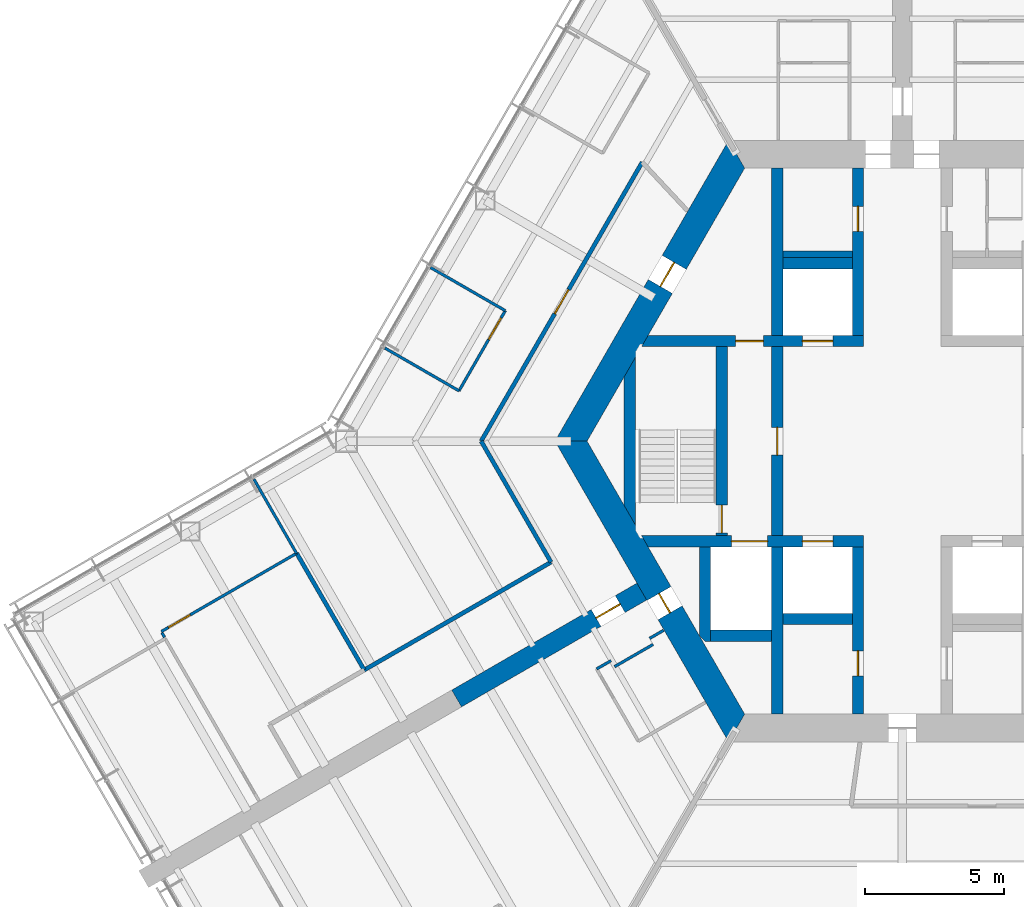
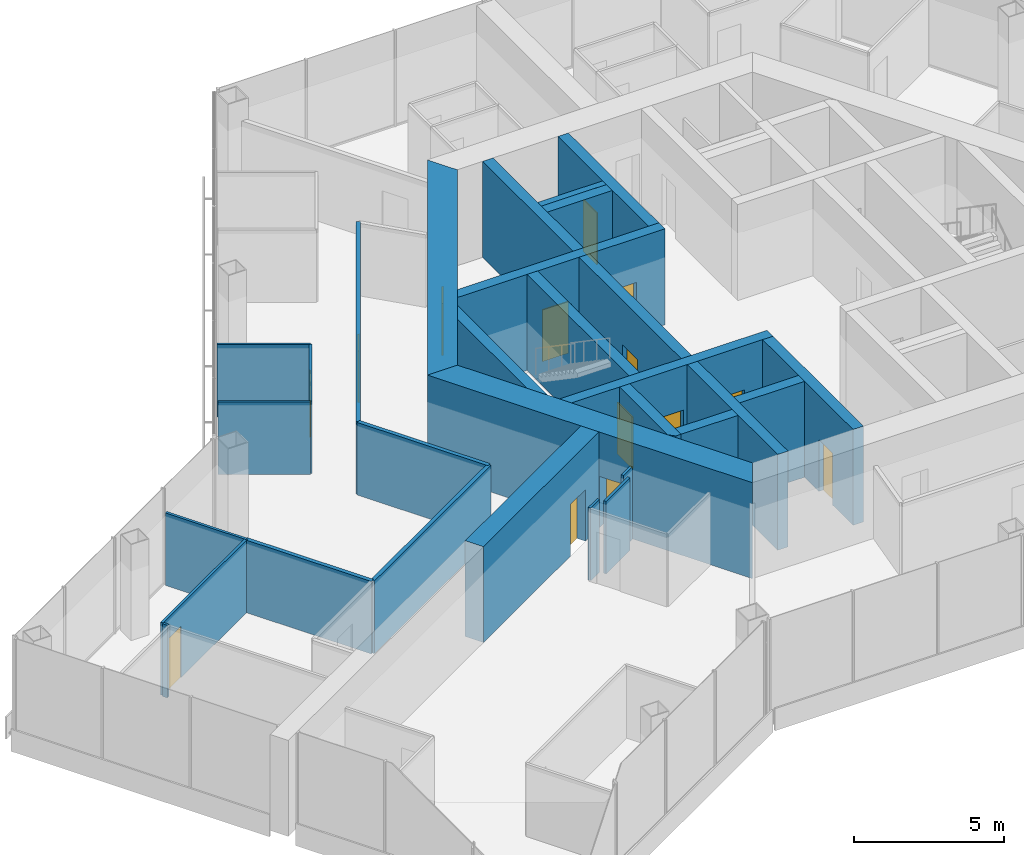
# One storey, part 12 of 18: 30 walls, 14 doors, 14 openings.
"""IFC4 building model written with IfcOpenShell, lengths in metres."""

from ifc_helpers import new_model, si_unit, direction, frame, frame_2d, origin, place, context, subcontext, project, spatial, polyline, rectangle, outline, extrude, material, layer, layer_set, type_object, element, fill, save


model = new_model("IFC4")

# Units and contexts
model_context = context("Model", 3, precision=1e-05, world=origin(), true_north=direction((0.0, 1.0)))
body_context = subcontext(model_context, "Body", "Model", "MODEL_VIEW")
ifc_project = project(units=[si_unit("LENGTHUNIT", "METRE"), si_unit("AREAUNIT", "SQUARE_METRE"), si_unit("VOLUMEUNIT", "CUBIC_METRE"), si_unit("PLANEANGLEUNIT", "RADIAN"), si_unit("MASSUNIT", "GRAM", prefix="KILO")], contexts=[model_context])

# Site, building, storey
site_placement = place(None, origin())
site = spatial("IfcSite", under=ifc_project, at=site_placement, CompositionType="ELEMENT")
building_placement = place(site_placement, origin())
building = spatial("IfcBuilding", under=site, at=building_placement, Name="Kasaneha Research Tower", CompositionType="ELEMENT")
storey_placement = place(building_placement, frame((0.0, 0.0, 148.699951171875)))
storey = spatial("IfcBuildingStorey", under=building, at=storey_placement, Name="L37", CompositionType="ELEMENT", Elevation=148.699951171875)

# Wall, openings, doors
ifc_material_1 = material(Name="Concrete Fc70", Category="concrete")
ifc_layer_1 = layer(ifc_material_1, 0.39990234375)
ifc_layer_set_1 = layer_set([ifc_layer_1], Name="Core internal wall 400 Fc70")
wall_type_1 = type_object("IfcWallType", Name="Core internal wall 400 Fc70", PredefinedType="SHEAR", material=ifc_layer_set_1)
wall_1_placement = place(storey_placement, frame((-9.266357421875, 3.60009765625, 0.0), z_axis=(0.0, 0.0, 1.0), x_axis=(1.0, 0.0, 0.0)))
wall_1 = element("IfcWall", 1, at=wall_1_placement, inside=storey, type_object=wall_type_1, Name="Core wall W1W L37", PredefinedType="SHEAR", context=body_context, shape_type="SweptSolid", body=[
    extrude(outline(polyline([(-0.115478515625, -0.199951171875), (3.266357421875, -0.199951171875), (4.266357421875, -0.199951171875), (5.66650390625, -0.199951171875), (6.7666015625, -0.199951171875), (7.866455078125, -0.199951171875), (7.866455078125, 0.199951171875), (6.7666015625, 0.199951171875), (5.66650390625, 0.199951171875), (4.266357421875, 0.199951171875), (3.266357421875, 0.199951171875), (0.115478515625, 0.199951171875), (-0.115478515625, -0.199951171875)])), origin(), (0.0, 0.0, 1.0), 3.900146484375),
])
opening_1_placement = place(wall_1_placement, frame((3.266357421875, 0.0, 0.0)))
opening_1 = element("IfcOpeningElement", 2, at=opening_1_placement, cuts=wall_1, Name="Opening L37-D12", PredefinedType="OPENING", context=body_context, shape_type="SweptSolid", body=[
    extrude(rectangle(XDim=1.0, YDim=2.10009765625, at=frame_2d((0.5, 1.050048828125))), frame((0.0, 0.2099609375, 0.0), z_axis=(0.0, -1.0, 0.0), x_axis=(1.0, 0.0, 0.0)), (0.0, 0.0, 1.0), 0.419921875),
])
opening_2_placement = place(wall_1_placement, frame((5.66650390625, 0.0, 0.0)))
opening_2 = element("IfcOpeningElement", 3, at=opening_2_placement, cuts=wall_1, Name="Opening LD-LM1-L37", PredefinedType="OPENING", context=body_context, shape_type="SweptSolid", body=[
    extrude(rectangle(XDim=1.10009765625, YDim=2.10009765625, at=frame_2d((0.550048828125, 1.050048828125))), frame((0.0, 0.2099609375, 0.0), z_axis=(0.0, -1.0, 0.0), x_axis=(1.0, 0.0, 0.0)), (0.0, 0.0, 1.0), 0.419921875),
])
ifc_material_2 = material(Name="Steel", Category="steel")
door_type_1 = type_object("IfcDoorType", Name="Lift landing door 1100x2100", OperationType="DOUBLE_DOOR_SLIDING", PredefinedType="DOOR", material=ifc_material_2)
door_1_placement = place(opening_2_placement, origin())
door_1 = element("IfcDoor", 4, at=door_1_placement, inside=storey, type_object=door_type_1, Name="Landing door LM1 LD-LM1-L37", OperationType="DOUBLE_DOOR_SLIDING", OverallHeight=2.10009765625, OverallWidth=1.10009765625, PredefinedType="DOOR", context=body_context, shape_type="SweptSolid", body=[
    extrude(rectangle(XDim=1.10009765625, YDim=2.10009765625, at=frame_2d((0.550048828125, 1.050048828125))), frame((0.0, 0.02490234375, 0.0), z_axis=(0.0, -1.0, 0.0), x_axis=(1.0, 0.0, 0.0)), (0.0, 0.0, 1.0), 0.050048828125),
])
fill(opening_2, door_1)
ifc_material_3 = material(Name="Steel", Category="steel")
door_type_2 = type_object("IfcDoorType", Name="Specified fire door FD60 1000x2100", OperationType="NOTDEFINED", PredefinedType="DOOR", material=ifc_material_3)
door_2_placement = place(opening_1_placement, origin())
door_2 = element("IfcDoor", 5, at=door_2_placement, inside=storey, type_object=door_type_2, Name="Vestibule to lobby door L37-D12", OperationType="SINGLE_SWING_LEFT", OverallHeight=2.10009765625, OverallWidth=1.0, PredefinedType="DOOR", context=body_context, shape_type="SweptSolid", body=[
    extrude(rectangle(XDim=1.0, YDim=2.10009765625, at=frame_2d((0.5, 1.050048828125))), frame((0.0, 0.02490234375, 0.0), z_axis=(0.0, -1.0, 0.0), x_axis=(1.0, 0.0, 0.0)), (0.0, 0.0, 1.0), 0.050048828125),
])
fill(opening_1, door_2)

wall_2_placement = place(storey_placement, frame((-9.266357421875, -3.60009765625, 0.0), z_axis=(0.0, 0.0, 1.0), x_axis=(1.0, 0.0, 0.0)))
wall_2 = element("IfcWall", 6, at=wall_2_placement, inside=storey, type_object=wall_type_1, Name="Core wall W2W L37", PredefinedType="SHEAR", context=body_context, shape_type="SweptSolid", body=[
    extrude(outline(polyline([(0.115478515625, -0.199951171875), (3.116455078125, -0.199951171875), (4.41650390625, -0.199951171875), (5.66650390625, -0.199951171875), (6.7666015625, -0.199951171875), (7.866455078125, -0.199951171875), (7.866455078125, 0.199951171875), (6.7666015625, 0.199951171875), (5.66650390625, 0.199951171875), (4.41650390625, 0.199951171875), (3.116455078125, 0.199951171875), (-0.115478515625, 0.199951171875), (0.115478515625, -0.199951171875)])), origin(), (0.0, 0.0, 1.0), 3.900146484375),
])
opening_3_placement = place(wall_2_placement, frame((5.66650390625, 0.0, 0.0)))
opening_3 = element("IfcOpeningElement", 7, at=opening_3_placement, cuts=wall_2, Name="Opening LD-LM3-L37", PredefinedType="OPENING", context=body_context, shape_type="SweptSolid", body=[
    extrude(rectangle(XDim=1.10009765625, YDim=2.10009765625, at=frame_2d((0.550048828125, 1.050048828125))), frame((0.0, 0.2099609375, 0.0), z_axis=(0.0, -1.0, 0.0), x_axis=(1.0, 0.0, 0.0)), (0.0, 0.0, 1.0), 0.419921875),
])
opening_4_placement = place(wall_2_placement, frame((3.116455078125, 0.0, 0.0)))
opening_4 = element("IfcOpeningElement", 8, at=opening_4_placement, cuts=wall_2, Name="Opening LD-FL2-L37", PredefinedType="OPENING", context=body_context, shape_type="SweptSolid", body=[
    extrude(rectangle(XDim=1.300048828125, YDim=2.10009765625, at=frame_2d((0.64990234375, 1.050048828125))), frame((0.0, 0.2099609375, 0.0), z_axis=(0.0, -1.0, 0.0), x_axis=(1.0, 0.0, 0.0)), (0.0, 0.0, 1.0), 0.419921875),
])
door_3_placement = place(opening_3_placement, origin())
door_3 = element("IfcDoor", 9, at=door_3_placement, inside=storey, type_object=door_type_1, Name="Landing door LM3 LD-LM3-L37", OperationType="DOUBLE_DOOR_SLIDING", OverallHeight=2.10009765625, OverallWidth=1.10009765625, PredefinedType="DOOR", context=body_context, shape_type="SweptSolid", body=[
    extrude(rectangle(XDim=1.10009765625, YDim=2.10009765625, at=frame_2d((0.550048828125, 1.050048828125))), frame((0.0, 0.02490234375, 0.0), z_axis=(0.0, -1.0, 0.0), x_axis=(1.0, 0.0, 0.0)), (0.0, 0.0, 1.0), 0.050048828125),
])
fill(opening_3, door_3)
ifc_material_4 = material(Name="Steel", Category="steel")
door_type_3 = type_object("IfcDoorType", Name="Lift landing door 1300x2100", OperationType="DOUBLE_DOOR_SLIDING", PredefinedType="DOOR", material=ifc_material_4)
door_4_placement = place(opening_4_placement, origin())
door_4 = element("IfcDoor", 10, at=door_4_placement, inside=storey, type_object=door_type_3, Name="Landing door FL2 LD-FL2-L37", OperationType="DOUBLE_DOOR_SLIDING", OverallHeight=2.10009765625, OverallWidth=1.300048828125, PredefinedType="DOOR", context=body_context, shape_type="SweptSolid", body=[
    extrude(rectangle(XDim=1.300048828125, YDim=2.10009765625, at=frame_2d((0.64990234375, 1.050048828125))), frame((0.0, 0.02490234375, 0.0), z_axis=(0.0, -1.0, 0.0), x_axis=(1.0, 0.0, 0.0)), (0.0, 0.0, 1.0), 0.050048828125),
])
fill(opening_4, door_4)

# Wall, opening, door
wall_3_placement = place(storey_placement, frame((-1.60009765625, 3.800048828125, 0.0), z_axis=(0.0, 0.0, 1.0), x_axis=(0.0, 1.0, 0.0)))
wall_3 = element("IfcWall", 11, at=wall_3_placement, inside=storey, type_object=wall_type_1, Name="Core wall CNW L37", PredefinedType="SHEAR", context=body_context, shape_type="SweptSolid", body=[
    extrude(rectangle(XDim=6.02490234375, YDim=0.39990234375, at=frame_2d((3.012451171875, 0.0))), origin(), (0.0, 0.0, 1.0), 3.900146484375),
])
opening_5_placement = place(wall_3_placement, frame((3.75, 0.0, 0.0)))
opening_5 = element("IfcOpeningElement", 12, at=opening_5_placement, cuts=wall_3, Name="Opening L37-D13", PredefinedType="OPENING", context=body_context, shape_type="SweptSolid", body=[
    extrude(rectangle(XDim=0.89990234375, YDim=2.10009765625, at=frame_2d((0.449951171875, 1.050048828125))), frame((0.0, 0.2099609375, 0.0), z_axis=(0.0, -1.0, 0.0), x_axis=(1.0, 0.0, 0.0)), (0.0, 0.0, 1.0), 0.419921875),
])
ifc_material_5 = material(Name="Steel", Category="steel")
door_type_4 = type_object("IfcDoorType", Name="Toilet door FD20 900x2100", OperationType="NOTDEFINED", PredefinedType="DOOR", material=ifc_material_5)
door_5_placement = place(opening_5_placement, origin())
door_5 = element("IfcDoor", 13, at=door_5_placement, inside=storey, type_object=door_type_4, Name="Men's WC door L37-D13", OperationType="SINGLE_SWING_LEFT", OverallHeight=2.10009765625, OverallWidth=0.89990234375, PredefinedType="DOOR", context=body_context, shape_type="SweptSolid", body=[
    extrude(rectangle(XDim=0.89990234375, YDim=2.10009765625, at=frame_2d((0.449951171875, 1.050048828125))), frame((0.0, 0.02490234375, 0.0), z_axis=(0.0, -1.0, 0.0), x_axis=(1.0, 0.0, 0.0)), (0.0, 0.0, 1.0), 0.050048828125),
])
fill(opening_5, door_5)

wall_4_placement = place(storey_placement, frame((-1.60009765625, -3.800048828125, 0.0), z_axis=(0.0, 0.0, 1.0), x_axis=(0.0, -1.0, 0.0)))
wall_4 = element("IfcWall", 14, at=wall_4_placement, inside=storey, type_object=wall_type_1, Name="Core wall CSW L37", PredefinedType="SHEAR", context=body_context, shape_type="SweptSolid", body=[
    extrude(rectangle(XDim=6.02490234375, YDim=0.39990234375, at=frame_2d((3.012451171875, 0.0))), origin(), (0.0, 0.0, 1.0), 3.900146484375),
])
opening_6_placement = place(wall_4_placement, frame((3.75, 0.0, 0.0)))
opening_6 = element("IfcOpeningElement", 15, at=opening_6_placement, cuts=wall_4, Name="Opening L37-D16", PredefinedType="OPENING", context=body_context, shape_type="SweptSolid", body=[
    extrude(rectangle(XDim=0.89990234375, YDim=2.10009765625, at=frame_2d((0.449951171875, 1.050048828125))), frame((0.0, 0.2099609375, 0.0), z_axis=(0.0, -1.0, 0.0), x_axis=(1.0, 0.0, 0.0)), (0.0, 0.0, 1.0), 0.419921875),
])
ifc_material_6 = material(Name="Steel", Category="steel")
door_type_5 = type_object("IfcDoorType", Name="Riser access door FD60 900x2100", OperationType="NOTDEFINED", PredefinedType="DOOR", material=ifc_material_6)
door_6_placement = place(opening_6_placement, origin())
door_6 = element("IfcDoor", 16, at=door_6_placement, inside=storey, type_object=door_type_5, Name="Electrical riser door L37-D16", OperationType="SINGLE_SWING_LEFT", OverallHeight=2.10009765625, OverallWidth=0.89990234375, PredefinedType="DOOR", context=body_context, shape_type="SweptSolid", body=[
    extrude(rectangle(XDim=0.89990234375, YDim=2.10009765625, at=frame_2d((0.449951171875, 1.050048828125))), frame((0.0, 0.02490234375, 0.0), z_axis=(0.0, -1.0, 0.0), x_axis=(1.0, 0.0, 0.0)), (0.0, 0.0, 1.0), 0.050048828125),
])
fill(opening_6, door_6)

wall_5_placement = place(storey_placement, frame((-4.5, -3.39990234375, 0.0), z_axis=(0.0, 0.0, 1.0), x_axis=(0.0, 1.0, 0.0)))
wall_5 = element("IfcWall", 17, at=wall_5_placement, inside=storey, type_object=wall_type_1, Name="Core wall LBW L37", PredefinedType="SHEAR", context=body_context, shape_type="SweptSolid", body=[
    extrude(rectangle(XDim=6.7998046875, YDim=0.39990234375, at=frame_2d((3.39990234375, 0.0))), origin(), (0.0, 0.0, 1.0), 3.900146484375),
])
opening_7_placement = place(wall_5_placement, frame((2.89990234375, 0.0, 0.0)))
opening_7 = element("IfcOpeningElement", 18, at=opening_7_placement, cuts=wall_5, Name="Opening L37-D09", PredefinedType="OPENING", context=body_context, shape_type="SweptSolid", body=[
    extrude(rectangle(XDim=1.0, YDim=2.10009765625, at=frame_2d((0.5, 1.050048828125))), frame((0.0, 0.2099609375, 0.0), z_axis=(0.0, -1.0, 0.0), x_axis=(1.0, 0.0, 0.0)), (0.0, 0.0, 1.0), 0.419921875),
])
door_7_placement = place(opening_7_placement, origin())
door_7 = element("IfcDoor", 19, at=door_7_placement, inside=storey, type_object=door_type_2, Name="Lift lobby door west L37-D09", OperationType="SINGLE_SWING_LEFT", OverallHeight=2.10009765625, OverallWidth=1.0, PredefinedType="DOOR", context=body_context, shape_type="SweptSolid", body=[
    extrude(rectangle(XDim=1.0, YDim=2.10009765625, at=frame_2d((0.5, 1.050048828125))), frame((0.0, 0.02490234375, 0.0), z_axis=(0.0, -1.0, 0.0), x_axis=(1.0, 0.0, 0.0)), (0.0, 0.0, 1.0), 0.050048828125),
])
fill(opening_7, door_7)

wall_6_placement = place(storey_placement, frame((-6.5, -3.39990234375, 0.0), z_axis=(0.0, 0.0, 1.0), x_axis=(0.0, 1.0, 0.0)))
wall_6 = element("IfcWall", 20, at=wall_6_placement, inside=storey, type_object=wall_type_1, Name="Core wall ANW L37", PredefinedType="SHEAR", context=body_context, shape_type="SweptSolid", body=[
    extrude(rectangle(XDim=6.7998046875, YDim=0.39990234375, at=frame_2d((3.39990234375, 0.0))), origin(), (0.0, 0.0, 1.0), 3.900146484375),
])
opening_8_placement = place(wall_6_placement, frame((0.10009765625, 0.0, 0.0)))
opening_8 = element("IfcOpeningElement", 21, at=opening_8_placement, cuts=wall_6, Name="Opening L37-D11", PredefinedType="OPENING", context=body_context, shape_type="SweptSolid", body=[
    extrude(rectangle(XDim=1.0, YDim=2.10009765625, at=frame_2d((0.5, 1.050048828125))), frame((0.0, 0.2099609375, 0.0), z_axis=(0.0, -1.0, 0.0), x_axis=(1.0, 0.0, 0.0)), (0.0, 0.0, 1.0), 0.419921875),
])
door_8_placement = place(opening_8_placement, origin())
door_8 = element("IfcDoor", 22, at=door_8_placement, inside=storey, type_object=door_type_2, Name="Stair 2 door L37-D11", OperationType="SINGLE_SWING_LEFT", OverallHeight=2.10009765625, OverallWidth=1.0, PredefinedType="DOOR", context=body_context, shape_type="SweptSolid", body=[
    extrude(rectangle(XDim=1.0, YDim=2.10009765625, at=frame_2d((0.5, 1.050048828125))), frame((0.0, 0.02490234375, 0.0), z_axis=(0.0, -1.0, 0.0), x_axis=(1.0, 0.0, 0.0)), (0.0, 0.0, 1.0), 0.050048828125),
])
fill(opening_8, door_8)

# Walls
for number, where, z_axis, x_axis, name in (
    (23, (-4.5, 3.800048828125, 0.0), (0.0, 0.0, 1.0), (0.0, 1.0, 0.0), "Core wall VNW L37"),
    (24, (-4.5, -3.800048828125, 0.0), (0.0, 0.0, 1.0), (0.0, -1.0, 0.0), "Core wall SSW L37"),
):
    element("IfcWall", number, at=place(storey_placement, frame(where, z_axis=z_axis, x_axis=x_axis)), inside=storey, type_object=wall_type_1, Name=name, PredefinedType="SHEAR", context=body_context, shape_type="SweptSolid", body=[
        extrude(rectangle(XDim=6.02490234375, YDim=0.39990234375, at=frame_2d((3.012451171875, 0.0))), origin(), (0.0, 0.0, 1.0), 3.900146484375),
    ])
for number, where, z_axis, x_axis, name in (
    (25, (-4.300048828125, 6.39990234375, 0.0), (0.0, 0.0, 1.0), (1.0, 0.0, 0.0), "Core wall N1N L37"),
    (26, (-4.300048828125, -6.39990234375, 0.0), (0.0, 0.0, 1.0), (1.0, 0.0, 0.0), "Core wall S1S L37"),
):
    element("IfcWall", number, at=place(storey_placement, frame(where, z_axis=z_axis, x_axis=x_axis)), inside=storey, type_object=wall_type_1, Name=name, PredefinedType="SHEAR", context=body_context, shape_type="SweptSolid", body=[
        extrude(rectangle(XDim=2.5, YDim=0.39990234375, at=frame_2d((1.25, 0.0))), origin(), (0.0, 0.0, 1.0), 3.900146484375),
    ])
wall_7_placement = place(storey_placement, frame((-6.89990234375, -7.0, 0.0), z_axis=(0.0, 0.0, 1.0), x_axis=(1.0, 0.0, 0.0)))
element("IfcWall", 27, at=wall_7_placement, inside=storey, type_object=wall_type_1, Name="Core wall F2S L37", PredefinedType="SHEAR", context=body_context, shape_type="SweptSolid", body=[
    extrude(rectangle(XDim=2.199951171875, YDim=0.39990234375, at=frame_2d((1.10009765625, 0.0))), origin(), (0.0, 0.0, 1.0), 3.900146484375),
])
wall_8_placement = place(storey_placement, frame((-7.10009765625, -3.800048828125, 0.0), z_axis=(0.0, 0.0, 1.0), x_axis=(0.0, -1.0, 0.0)))
element("IfcWall", 28, at=wall_8_placement, inside=storey, type_object=wall_type_1, Name="Core wall F2W L37", PredefinedType="SHEAR", context=body_context, shape_type="SweptSolid", body=[
    extrude(outline(polyline([(0.0, -0.199951171875), (3.205810546875, -0.199951171875), (3.39990234375, 0.0), (3.39990234375, 0.199951171875), (0.0, 0.199951171875), (0.0, -0.199951171875)])), origin(), (0.0, 0.0, 1.0), 3.900146484375),
])
wall_9_placement = place(storey_placement, frame((-9.807861328125, -2.662353515625, 0.0), z_axis=(0.0, 0.0, 1.0), x_axis=(0.0, 1.0, 0.0)))
element("IfcWall", 29, at=wall_9_placement, inside=storey, type_object=wall_type_1, Name="Core wall STW L37", PredefinedType="SHEAR", context=body_context, shape_type="SweptSolid", body=[
    extrude(outline(polyline([(-0.346435546875, -0.199951171875), (5.671142578125, -0.199951171875), (4.978271484375, 0.199951171875), (0.346435546875, 0.199951171875), (-0.346435546875, -0.199951171875)])), origin(), (0.0, 0.0, 1.0), 3.900146484375),
])

# Wall, opening, door
ifc_material_7 = material(Name="Concrete Fc70", Category="concrete")
ifc_layer_2 = layer(ifc_material_7, 1.0)
ifc_layer_set_2 = layer_set([ifc_layer_2], Name="Core wall 1000 Fc70")
wall_type_2 = type_object("IfcWallType", Name="Core wall 1000 Fc70", PredefinedType="SHEAR", material=ifc_layer_set_2)
wall_10_placement = place(storey_placement, frame((-5.961181640625, 10.324951171875, 0.0), z_axis=(0.0, 0.0, 1.0), x_axis=(-0.500004296715, -0.866022923061, 0.0)))
wall_10 = element("IfcWall", 30, at=wall_10_placement, inside=storey, type_object=wall_type_2, Name="Core wall 150 L37", PredefinedType="SHEAR", context=body_context, shape_type="SweptSolid", body=[
    extrude(outline(polyline([(-0.28857421875, -0.5), (4.494140625, -0.5), (5.494140625, -0.5), (12.2109375, -0.5), (11.6337890625, 0.5), (5.494140625, 0.5), (4.494140625, 0.5), (0.28857421875, 0.5), (-0.28857421875, -0.5)])), origin(), (0.0, 0.0, 1.0), 3.900146484375),
])
opening_9_placement = place(wall_10_placement, frame((4.494140625, 0.0, 0.0)))
opening_9 = element("IfcOpeningElement", 31, at=opening_9_placement, cuts=wall_10, Name="Opening L37-D07", PredefinedType="OPENING", context=body_context, shape_type="SweptSolid", body=[
    extrude(rectangle(XDim=1.0, YDim=2.10009765625, at=frame_2d((0.5, 1.050048828125))), frame((0.0, 0.510009765625, 0.0), z_axis=(0.0, -1.0, 0.0), x_axis=(1.0, 0.0, 0.0)), (0.0, 0.0, 1.0), 1.02001953125),
])
ifc_material_8 = material(Name="Steel", Category="steel")
door_type_6 = type_object("IfcDoorType", Name="Fire door FD20 1000x2100", OperationType="NOTDEFINED", PredefinedType="DOOR", material=ifc_material_8)
door_9_placement = place(opening_9_placement, origin())
door_9 = element("IfcDoor", 32, at=door_9_placement, inside=storey, type_object=door_type_6, Name="Vestibule door L37-D07", OperationType="SINGLE_SWING_LEFT", OverallHeight=2.10009765625, OverallWidth=1.0, PredefinedType="DOOR", context=body_context, shape_type="SweptSolid", body=[
    extrude(rectangle(XDim=1.0, YDim=2.10009765625, at=frame_2d((0.5, 1.050048828125))), frame((0.0, 0.02490234375, 0.0), z_axis=(0.0, -1.0, 0.0), x_axis=(1.0, 0.0, 0.0)), (0.0, 0.0, 1.0), 0.050048828125),
])
fill(opening_9, door_9)

wall_11_placement = place(storey_placement, frame((-11.92236328125, 0.0, 0.0), z_axis=(0.0, 0.0, 1.0), x_axis=(0.500004296715, -0.866022923061, 0.0)))
wall_11 = element("IfcWall", 33, at=wall_11_placement, inside=storey, type_object=wall_type_2, Name="Core wall 210 L37", PredefinedType="SHEAR", context=body_context, shape_type="SweptSolid", body=[
    extrude(outline(polyline([(-0.28857421875, -0.5), (6.3310546875, -0.5), (7.131103515625, -0.5), (12.2109375, -0.5), (11.6337890625, 0.5), (7.131103515625, 0.5), (6.3310546875, 0.5), (0.28857421875, 0.5), (-0.28857421875, -0.5)])), origin(), (0.0, 0.0, 1.0), 3.900146484375),
])
opening_10_placement = place(wall_11_placement, frame((6.3310546875, 0.0, 0.0)))
opening_10 = element("IfcOpeningElement", 34, at=opening_10_placement, cuts=wall_11, Name="Opening L37-D06", PredefinedType="OPENING", context=body_context, shape_type="SweptSolid", body=[
    extrude(rectangle(XDim=0.800048828125, YDim=2.10009765625, at=frame_2d((0.39990234375, 1.050048828125))), frame((0.0, 0.510009765625, 0.0), z_axis=(0.0, -1.0, 0.0), x_axis=(1.0, 0.0, 0.0)), (0.0, 0.0, 1.0), 1.02001953125),
])
ifc_material_9 = material(Name="Steel", Category="steel")
door_type_7 = type_object("IfcDoorType", Name="Riser access door FD60 800x2100", OperationType="NOTDEFINED", PredefinedType="DOOR", material=ifc_material_9)
door_10_placement = place(opening_10_placement, origin())
door_10 = element("IfcDoor", 35, at=door_10_placement, inside=storey, type_object=door_type_7, Name="Duct riser door L37-D06", OperationType="SINGLE_SWING_RIGHT", OverallHeight=2.10009765625, OverallWidth=0.800048828125, PredefinedType="DOOR", context=body_context, shape_type="SweptSolid", body=[
    extrude(rectangle(XDim=0.800048828125, YDim=2.10009765625, at=frame_2d((0.39990234375, 1.050048828125))), frame((0.0, 0.02490234375, 0.0), z_axis=(0.0, -1.0, 0.0), x_axis=(1.0, 0.0, 0.0)), (0.0, 0.0, 1.0), 0.050048828125),
])
fill(opening_10, door_10)

# Walls
ifc_material_10 = material(Name="Gypsum board on steel studs, one layer each side", Category="steel")
ifc_layer_3 = layer(ifc_material_10, 0.10009765625)
ifc_layer_set_3 = layer_set([ifc_layer_3], Name="Office partition 100")
wall_type_3 = type_object("IfcWallType", Name="Office partition 100", PredefinedType="PARTITIONING", material=ifc_layer_set_3)
wall_12_placement = place(storey_placement, frame((-16.97607421875, 6.247802734375, 0.0), z_axis=(0.0, 0.0, 1.0), x_axis=(0.866023220135, -0.500003782172, 0.0)))
element("IfcWall", 36, at=wall_12_placement, inside=storey, type_object=wall_type_3, Name="Office partition FBN12 L37", PredefinedType="PARTITIONING", context=body_context, shape_type="SweptSolid", body=[
    extrude(rectangle(XDim=3.10498046875, YDim=0.10009765625, at=frame_2d((1.552490234375, 0.0))), origin(), (0.0, 0.0, 1.0), 2.949951171875),
])
wall_13_placement = place(storey_placement, frame((-15.952392578125, 1.810546875, 0.0), z_axis=(0.0, 0.0, 1.0), x_axis=(-0.866029832698, 0.499992328818, 0.0)))
element("IfcWall", 37, at=wall_13_placement, inside=storey, type_object=wall_type_3, Name="Office partition FBN13 L37", PredefinedType="PARTITIONING", context=body_context, shape_type="SweptSolid", body=[
    extrude(rectangle(XDim=3.080078125, YDim=0.10009765625, at=frame_2d((1.5400390625, 0.0))), origin(), (0.0, 0.0, 1.0), 2.949951171875),
])

# Wall, opening, door
wall_14_placement = place(storey_placement, frame((-14.287109375, 4.6953125, 0.0), z_axis=(0.0, 0.0, 1.0), x_axis=(-0.499946633866, -0.866056212544, 0.0)))
wall_14 = element("IfcWall", 38, at=wall_14_placement, inside=storey, type_object=wall_type_3, Name="Office partition FBN14 L37", PredefinedType="PARTITIONING", context=body_context, shape_type="SweptSolid", body=[
    extrude(rectangle(XDim=3.330810546875, YDim=0.10009765625, at=frame_2d((1.66552734375, 0.0))), origin(), (0.0, 0.0, 1.0), 2.949951171875),
])
opening_11_placement = place(wall_14_placement, frame((0.300048828125, 0.0, 0.0)))
opening_11 = element("IfcOpeningElement", 39, at=opening_11_placement, cuts=wall_14, Name="Opening L37-D38", PredefinedType="OPENING", context=body_context, shape_type="SweptSolid", body=[
    extrude(rectangle(XDim=0.89990234375, YDim=2.10009765625, at=frame_2d((0.449951171875, 1.050048828125))), frame((0.0, 0.06005859375, 0.0), z_axis=(0.0, -1.0, 0.0), x_axis=(1.0, 0.0, 0.0)), (0.0, 0.0, 1.0), 0.1201171875),
])
ifc_material_11 = material(Name="Timber veneer", Category="wood")
door_type_8 = type_object("IfcDoorType", Name="Office door 900x2100", OperationType="SINGLE_SWING_LEFT", PredefinedType="DOOR", material=ifc_material_11)
door_11_placement = place(opening_11_placement, origin())
door_11 = element("IfcDoor", 40, at=door_11_placement, inside=storey, type_object=door_type_8, Name="Workroom door L37-D38", OperationType="SINGLE_SWING_LEFT", OverallHeight=2.10009765625, OverallWidth=0.89990234375, PredefinedType="DOOR", context=body_context, shape_type="SweptSolid", body=[
    extrude(rectangle(XDim=0.89990234375, YDim=2.10009765625, at=frame_2d((0.449951171875, 1.050048828125))), frame((0.0, 0.02490234375, 0.0), z_axis=(0.0, -1.0, 0.0), x_axis=(1.0, 0.0, 0.0)), (0.0, 0.0, 1.0), 0.050048828125),
])
fill(opening_11, door_11)

# Wall
wall_15_placement = place(storey_placement, frame((-23.332275390625, -1.36962890625, 0.0), z_axis=(0.0, 0.0, 1.0), x_axis=(0.498722739085, -0.866761575937, 0.0)))
element("IfcWall", 41, at=wall_15_placement, inside=storey, type_object=wall_type_3, Name="Office partition FBN15 L37", PredefinedType="PARTITIONING", context=body_context, shape_type="SweptSolid", body=[
    extrude(rectangle(XDim=3.08056640625, YDim=0.10009765625, at=frame_2d((1.540283203125, 0.0))), origin(), (0.0, 0.0, 1.0), 2.949951171875),
])

# Wall, opening, door
wall_16_placement = place(storey_placement, frame((-21.793701171875, -4.033203125, 0.0), z_axis=(0.0, 0.0, 1.0), x_axis=(-0.865577688484, -0.500774665092, 0.0)))
wall_16 = element("IfcWall", 42, at=wall_16_placement, inside=storey, type_object=wall_type_3, Name="Office partition FBN16 L37", PredefinedType="PARTITIONING", context=body_context, shape_type="SweptSolid", body=[
    extrude(rectangle(XDim=5.62890625, YDim=0.10009765625, at=frame_2d((2.814453125, 0.0))), origin(), (0.0, 0.0, 1.0), 2.949951171875),
])
opening_12_placement = place(wall_16_placement, frame((4.428955078125, 0.0, 0.0)))
opening_12 = element("IfcOpeningElement", 43, at=opening_12_placement, cuts=wall_16, Name="Opening L37-D39", PredefinedType="OPENING", context=body_context, shape_type="SweptSolid", body=[
    extrude(rectangle(XDim=0.89990234375, YDim=2.10009765625, at=frame_2d((0.449951171875, 1.050048828125))), frame((0.0, 0.06005859375, 0.0), z_axis=(0.0, -1.0, 0.0), x_axis=(1.0, 0.0, 0.0)), (0.0, 0.0, 1.0), 0.1201171875),
])
door_12_placement = place(opening_12_placement, origin())
door_12 = element("IfcDoor", 44, at=door_12_placement, inside=storey, type_object=door_type_8, Name="Project room door L37-D39", OperationType="SINGLE_SWING_RIGHT", OverallHeight=2.10009765625, OverallWidth=0.89990234375, PredefinedType="DOOR", context=body_context, shape_type="SweptSolid", body=[
    extrude(rectangle(XDim=0.89990234375, YDim=2.10009765625, at=frame_2d((0.449951171875, 1.050048828125))), frame((0.0, 0.02490234375, 0.0), z_axis=(0.0, -1.0, 0.0), x_axis=(1.0, 0.0, 0.0)), (0.0, 0.0, 1.0), 0.050048828125),
])
fill(opening_12, door_12)

# Walls
wall_17_placement = place(storey_placement, frame((-10.99951171875, -8.197998046875, 0.0), z_axis=(0.0, 0.0, 1.0), x_axis=(0.866131372301, 0.499816412211, 0.0)))
element("IfcWall", 45, at=wall_17_placement, inside=storey, type_object=wall_type_3, Name="Office partition FBS01 L37", PredefinedType="PARTITIONING", context=body_context, shape_type="SweptSolid", body=[
    extrude(rectangle(XDim=0.599853515625, YDim=0.10009765625, at=frame_2d((0.2998046875, 0.0))), origin(), (0.0, 0.0, 1.0), 2.949951171875),
])
wall_18_placement = place(storey_placement, frame((-10.35498046875, -8.114501953125, 0.0), z_axis=(0.0, 0.0, 1.0), x_axis=(0.866094119867, 0.499880961361, 0.0)))
element("IfcWall", 46, at=wall_18_placement, inside=storey, type_object=wall_type_3, Name="Office partition FBS02 L37", PredefinedType="PARTITIONING", context=body_context, shape_type="SweptSolid", body=[
    extrude(rectangle(XDim=1.60009765625, YDim=0.10009765625, at=frame_2d((0.800048828125, 0.0))), origin(), (0.0, 0.0, 1.0), 2.949951171875),
])
wall_19_placement = place(storey_placement, frame((-9.09423828125, -7.09814453125, 0.0), z_axis=(0.0, 0.0, 1.0), x_axis=(0.865954211699, 0.50012328804, 0.0)))
element("IfcWall", 47, at=wall_19_placement, inside=storey, type_object=wall_type_3, Name="Office partition FBS04 L37", PredefinedType="PARTITIONING", context=body_context, shape_type="SweptSolid", body=[
    extrude(rectangle(XDim=0.579833984375, YDim=0.10009765625, at=frame_2d((0.2900390625, 0.0))), origin(), (0.0, 0.0, 1.0), 2.949951171875),
])
wall_20_placement = place(storey_placement, frame((-26.641357421875, -6.8955078125, 0.0), z_axis=(0.0, 0.0, 1.0), x_axis=(0.497958060315, -0.867201112872, 0.0)))
element("IfcWall", 48, at=wall_20_placement, inside=storey, type_object=wall_type_3, Name="Office partition closer PT5 L37", PredefinedType="PARTITIONING", context=body_context, shape_type="SweptSolid", body=[
    extrude(rectangle(XDim=0.187744140625, YDim=0.10009765625, at=frame_2d((0.09375, 0.0))), origin(), (0.0, 0.0, 1.0), 2.949951171875),
])

# Wall, opening, door
ifc_material_12 = material(Name="Concrete Fc70", Category="concrete")
ifc_layer_4 = layer(ifc_material_12, 0.699951171875)
ifc_layer_set_4 = layer_set([ifc_layer_4], Name="Spine wall 700 Fc70")
wall_type_4 = type_object("IfcWallType", Name="Spine wall 700 Fc70", PredefinedType="SHEAR", material=ifc_layer_set_4)
wall_21_placement = place(storey_placement, frame((-9.374755859375, -5.41259765625, 0.0), z_axis=(0.0, 0.0, 1.0), x_axis=(-0.866032377459, -0.499987921047, 0.0)))
wall_21 = element("IfcWall", 49, at=wall_21_placement, inside=storey, type_object=wall_type_4, Name="Spine wall B L37", PredefinedType="SHEAR", context=body_context, shape_type="SweptSolid", body=[
    extrude(rectangle(XDim=7.695556640625, YDim=0.699951171875, at=frame_2d((3.84765625, 0.0))), origin(), (0.0, 0.0, 1.0), 3.900146484375),
])
opening_13_placement = place(wall_21_placement, frame((0.89990234375, 0.0, 0.0)))
opening_13 = element("IfcOpeningElement", 50, at=opening_13_placement, cuts=wall_21, Name="Opening L37-D18", PredefinedType="OPENING", context=body_context, shape_type="SweptSolid", body=[
    extrude(rectangle(XDim=1.0, YDim=2.10009765625, at=frame_2d((0.5, 1.050048828125))), frame((0.0, 0.35986328125, 0.0), z_axis=(0.0, -1.0, 0.0), x_axis=(1.0, 0.0, 0.0)), (0.0, 0.0, 1.0), 0.719970703125),
])
door_13_placement = place(opening_13_placement, origin())
door_13 = element("IfcDoor", 51, at=door_13_placement, inside=storey, type_object=door_type_2, Name="Spine doorway B L37-D18", OperationType="SINGLE_SWING_LEFT", OverallHeight=2.10009765625, OverallWidth=1.0, PredefinedType="DOOR", context=body_context, shape_type="SweptSolid", body=[
    extrude(rectangle(XDim=1.0, YDim=2.10009765625, at=frame_2d((0.5, 1.050048828125))), frame((0.0, 0.02490234375, 0.0), z_axis=(0.0, -1.0, 0.0), x_axis=(1.0, 0.0, 0.0)), (0.0, 0.0, 1.0), 0.050048828125),
])
fill(opening_13, door_13)

# Wall
ifc_material_13 = material(Name="Gypsum board on steel studs, two layers each side", Category="steel")
ifc_layer_5 = layer(ifc_material_13, 0.14990234375)
ifc_layer_set_5 = layer_set([ifc_layer_5], Name="Suite partition 150")
wall_type_5 = type_object("IfcWallType", Name="Suite partition 150", PredefinedType="PARTITIONING", material=ifc_layer_set_5)
wall_22_placement = place(storey_placement, frame((-19.37158203125, -8.23974609375, 0.0), z_axis=(0.0, 0.0, 1.0), x_axis=(0.866015031168, 0.500017965468, 0.0)))
element("IfcWall", 52, at=wall_22_placement, inside=storey, type_object=wall_type_5, Name="Suite partition FBN01 L37", PredefinedType="PARTITIONING", context=body_context, shape_type="SweptSolid", body=[
    extrude(rectangle(XDim=7.771240234375, YDim=0.14990234375, at=frame_2d((3.8857421875, 0.0))), origin(), (0.0, 0.0, 1.0), 2.949951171875),
])

# Wall, opening, door
wall_23_placement = place(storey_placement, frame((-15.155517578125, 0.0, 0.0), z_axis=(0.0, 0.0, 1.0), x_axis=(0.500012970505, 0.86601791513, 0.0)))
wall_23 = element("IfcWall", 53, at=wall_23_placement, inside=storey, type_object=wall_type_5, Name="Suite partition FBN02 L37", PredefinedType="PARTITIONING", context=body_context, shape_type="SweptSolid", body=[
    extrude(rectangle(XDim=11.590576171875, YDim=0.14990234375, at=frame_2d((5.79541015625, 0.0))), origin(), (0.0, 0.0, 1.0), 2.949951171875),
])
opening_14_placement = place(wall_23_placement, frame((5.295166015625, 0.0, 0.0)))
opening_14 = element("IfcOpeningElement", 54, at=opening_14_placement, cuts=wall_23, Name="Opening L37-D34", PredefinedType="OPENING", context=body_context, shape_type="SweptSolid", body=[
    extrude(rectangle(XDim=1.0, YDim=2.10009765625, at=frame_2d((0.5, 1.050048828125))), frame((0.0, 0.0849609375, 0.0), z_axis=(0.0, -1.0, 0.0), x_axis=(1.0, 0.0, 0.0)), (0.0, 0.0, 1.0), 0.169921875),
])
ifc_material_14 = material(Name="Steel", Category="steel")
door_type_9 = type_object("IfcDoorType", Name="Suite entrance door FD60 1000x2100", OperationType="NOTDEFINED", PredefinedType="DOOR", material=ifc_material_14)
door_14_placement = place(opening_14_placement, origin())
door_14 = element("IfcDoor", 55, at=door_14_placement, inside=storey, type_object=door_type_9, Name="Suite entrance door L37-D34", OperationType="SINGLE_SWING_RIGHT", OverallHeight=2.10009765625, OverallWidth=1.0, PredefinedType="DOOR", context=body_context, shape_type="SweptSolid", body=[
    extrude(rectangle(XDim=1.0, YDim=2.10009765625, at=frame_2d((0.5, 1.050048828125))), frame((0.0, 0.02490234375, 0.0), z_axis=(0.0, -1.0, 0.0), x_axis=(1.0, 0.0, 0.0)), (0.0, 0.0, 1.0), 0.050048828125),
])
fill(opening_14, door_14)

# Walls
wall_24_placement = place(storey_placement, frame((-12.6416015625, -4.35400390625, 0.0), z_axis=(0.0, 0.0, 1.0), x_axis=(-0.500019495363, 0.866014147839, 0.0)))
element("IfcWall", 56, at=wall_24_placement, inside=storey, type_object=wall_type_5, Name="Suite partition FBN03 L37", PredefinedType="PARTITIONING", context=body_context, shape_type="SweptSolid", body=[
    extrude(rectangle(XDim=5.027587890625, YDim=0.14990234375, at=frame_2d((2.513671875, 0.0))), origin(), (0.0, 0.0, 1.0), 2.949951171875),
])
wall_25_placement = place(storey_placement, frame((-19.363037109375, -8.234130859375, 0.0), z_axis=(0.0, 0.0, 1.0), x_axis=(-0.500871679372, 0.865521554211, 0.0)))
element("IfcWall", 57, at=wall_25_placement, inside=storey, type_object=wall_type_5, Name="Suite partition FBN17 L37", PredefinedType="PARTITIONING", context=body_context, shape_type="SweptSolid", body=[
    extrude(rectangle(XDim=4.853271484375, YDim=0.14990234375, at=frame_2d((2.4267578125, 0.0))), origin(), (0.0, 0.0, 1.0), 2.949951171875),
])
ifc_material_15 = material(Name="Concrete block lining", Category="concrete")
ifc_layer_6 = layer(ifc_material_15, 0.25)
ifc_layer_set_6 = layer_set([ifc_layer_6], Name="WC plumbing wall 250")
wall_type_6 = type_object("IfcWallType", Name="WC plumbing wall 250", PredefinedType="PLUMBINGWALL", material=ifc_layer_set_6)
wall_26_placement = place(storey_placement, frame((-4.300048828125, 6.72509765625, 0.0), z_axis=(0.0, 0.0, 1.0), x_axis=(1.0, 0.0, 0.0)))
element("IfcWall", 58, at=wall_26_placement, inside=storey, type_object=wall_type_6, Name="WC plumbing wall M L37", PredefinedType="PLUMBINGWALL", context=body_context, shape_type="SweptSolid", body=[
    extrude(rectangle(XDim=2.5, YDim=0.25, at=frame_2d((1.25, 0.0))), origin(), (0.0, 0.0, 1.0), 3.900146484375),
])

save(model, "model.ifc")
